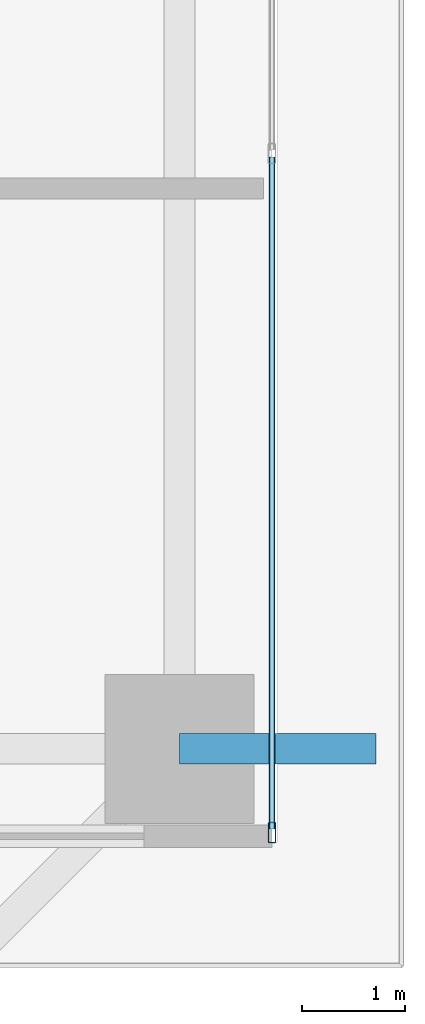
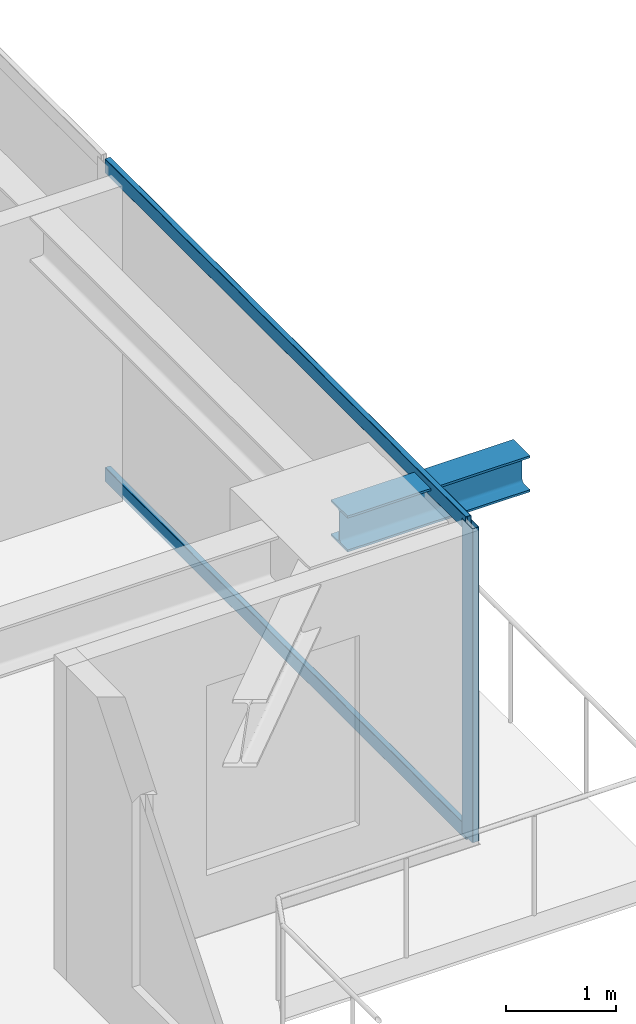
# One storey, part 12 of 36: 3 members, 1 beam, 1 element without a shape of its own.
"""IFC4 building model written with IfcOpenShell, lengths in metres."""

from ifc_helpers import new_model, si_unit, direction, frame, origin, origin_2d, place, context, subcontext, project, spatial, hollow_rectangle, i_section, extrude, source, transform, mapped, material, layer, layer_set, material_profile, profile_set, type_object, element, aggregate, save


model = new_model("IFC4")

# Units and contexts
model_context = context("Model", 3, precision=1e-05, world=origin(), true_north=direction((0.0, 1.0)))
body_context = subcontext(model_context, "Body", "Model", "MODEL_VIEW")
ifc_project = project(units=[si_unit("LENGTHUNIT", "METRE"), si_unit("AREAUNIT", "SQUARE_METRE"), si_unit("VOLUMEUNIT", "CUBIC_METRE"), si_unit("PLANEANGLEUNIT", "RADIAN"), si_unit("MASSUNIT", "GRAM", prefix="KILO")], contexts=[model_context])

# Site, building, storey
site_placement = place(None, origin())
site = spatial("IfcSite", under=ifc_project, at=site_placement, CompositionType="ELEMENT")
building_placement = place(site_placement, origin())
building = spatial("IfcBuilding", under=site, at=building_placement, Name="Serunith Strait Residences", CompositionType="ELEMENT")
storey_placement = place(building_placement, frame((0.0, 0.0, 41.699951171875)))
storey = spatial("IfcBuildingStorey", under=building, at=storey_placement, Name="L09", CompositionType="ELEMENT", Elevation=41.699951171875)

# Beam
ifc_material_1 = material(Name="Steel S355J2", Category="steel")
ifc_material_profile_1 = material_profile(ifc_material_1, i_section(OverallWidth=0.300048828125, OverallDepth=0.39990234375, WebThickness=0.013427734375, FlangeThickness=0.02392578125, FilletRadius=0.027099609375, at=origin_2d()), Name="HEB 400")
ifc_profile_set_1 = profile_set([ifc_material_profile_1], Name="Steel S355J2")
beam_type = type_object("IfcBeamType", Name="BM-HEB400", PredefinedType="BEAM", material=ifc_profile_set_1)
shared_shape_1 = source(origin(), body_context, "Body", "SweptSolid", [
    extrude(i_section(OverallWidth=0.300048828125, OverallDepth=0.39990234375, WebThickness=0.013427734375, FlangeThickness=0.02392578125, FilletRadius=0.027099609375, at=origin_2d()), origin(), (0.0, 0.0, 1.0), 1.91015625),
])
beam_placement = place(storey_placement, frame((57.89990234375, 9.449951171875, 3.257080078125), z_axis=(1.0, 0.0, 0.0), x_axis=(0.0, 1.0, 0.0)))
element("IfcBeam", 1, at=beam_placement, inside=storey, type_object=beam_type, Name="L10 Cantilevered Balcony Rib TC-E1", PredefinedType="BEAM", context=body_context, shape_type="MappedRepresentation", body=[
    mapped(shared_shape_1, transform((0.0, 0.0, 0.0), scale=1.0)),
])

# Curtain wall, members
ifc_material_2 = material(Name="Pale-Champagne Anodised Aluminium", Category="aluminium")
ifc_layer = layer(ifc_material_2, 0.199951171875, Name="Pale-Champagne Anodised Aluminium")
ifc_layer_set = layer_set([ifc_layer], Name="Pale-Champagne Anodised Aluminium")
curtain_wall_type = type_object("IfcCurtainWallType", Name="CW-SYS1", PredefinedType="NOTDEFINED", material=ifc_layer_set)
curtain_wall_placement = place(storey_placement, origin())
curtain_wall = element("IfcCurtainWall", 2, at=curtain_wall_placement, inside=storey, type_object=curtain_wall_type, Name="L09 E Unitised Fritted Curtain Wall", PredefinedType="NOTDEFINED")
ifc_material_profile_2 = material_profile(ifc_material_2, hollow_rectangle(XDim=0.070068359375, YDim=0.199951171875, WallThickness=0.00390625, InnerFilletRadius=0.006103515625, OuterFilletRadius=0.010009765625, at=origin_2d()), Name="ALU 200x70x4")
ifc_profile_set_2 = profile_set([ifc_material_profile_2], Name="Pale-Champagne Anodised Aluminium")
member_type_1 = type_object("IfcMemberType", Name="CW-SYS1-MULL", PredefinedType="MULLION", material=ifc_profile_set_2)
shared_shape_2 = source(origin(), body_context, "Body", "SweptSolid", [
    extrude(hollow_rectangle(XDim=0.070068359375, YDim=0.199951171875, WallThickness=0.00390625, InnerFilletRadius=0.006103515625, OuterFilletRadius=0.010009765625, at=origin_2d()), origin(), (0.0, 0.0, 1.0), 3.47509765625),
])
member_1_placement = place(storey_placement, frame((58.800048828125, 8.635009765625, 0.0), z_axis=(0.0, 0.0, 1.0), x_axis=(-1.0, 0.0, 0.0)))
member_1 = element("IfcMember", 3, at=member_1_placement, type_object=member_type_1, Name="CW-1 mullion 1", PredefinedType="MULLION", context=body_context, shape_type="MappedRepresentation", body=[
    mapped(shared_shape_2, transform((0.0, 0.0, 0.0), scale=1.0)),
])
ifc_material_profile_3 = material_profile(ifc_material_2, hollow_rectangle(XDim=0.06005859375, YDim=0.159912109375, WallThickness=0.00341796875, InnerFilletRadius=0.00537109375, OuterFilletRadius=0.0087890625, at=origin_2d()), Name="ALU 160x60x3.5")
ifc_profile_set_3 = profile_set([ifc_material_profile_3], Name="Pale-Champagne Anodised Aluminium")
member_type_2 = type_object("IfcMemberType", Name="CW-SYS1-TRAN", PredefinedType="USERDEFINED", material=ifc_profile_set_3)
shared_shape_3 = source(origin(), body_context, "Body", "SweptSolid", [
    extrude(hollow_rectangle(XDim=0.06005859375, YDim=0.159912109375, WallThickness=0.00341796875, InnerFilletRadius=0.00537109375, OuterFilletRadius=0.0087890625, at=origin_2d()), origin(), (0.0, 0.0, 1.0), 6.53515625),
])
member_2_placement = place(storey_placement, frame((58.800048828125, 8.669921875, 0.030029296875), z_axis=(0.0, 1.0, 0.0), x_axis=(-1.0, 0.0, 0.0)))
member_2 = element("IfcMember", 4, at=member_2_placement, type_object=member_type_2, Name="CW-1 transom 1.1", ObjectType="TRANSOM", PredefinedType="USERDEFINED", context=body_context, shape_type="MappedRepresentation", body=[
    mapped(shared_shape_3, transform((0.0, 0.0, 0.0), scale=1.0)),
])
member_3_placement = place(storey_placement, frame((58.800048828125, 8.669921875, 3.445068359375), z_axis=(0.0, 1.0, 0.0), x_axis=(-1.0, 0.0, 0.0)))
member_3 = element("IfcMember", 5, at=member_3_placement, type_object=member_type_2, Name="CW-1 transom 1.2", ObjectType="TRANSOM", PredefinedType="USERDEFINED", context=body_context, shape_type="MappedRepresentation", body=[
    mapped(shared_shape_3, transform((0.0, 0.0, 0.0), scale=1.0)),
])
aggregate(curtain_wall, [member_1, member_2, member_3])

save(model, "model.ifc")
